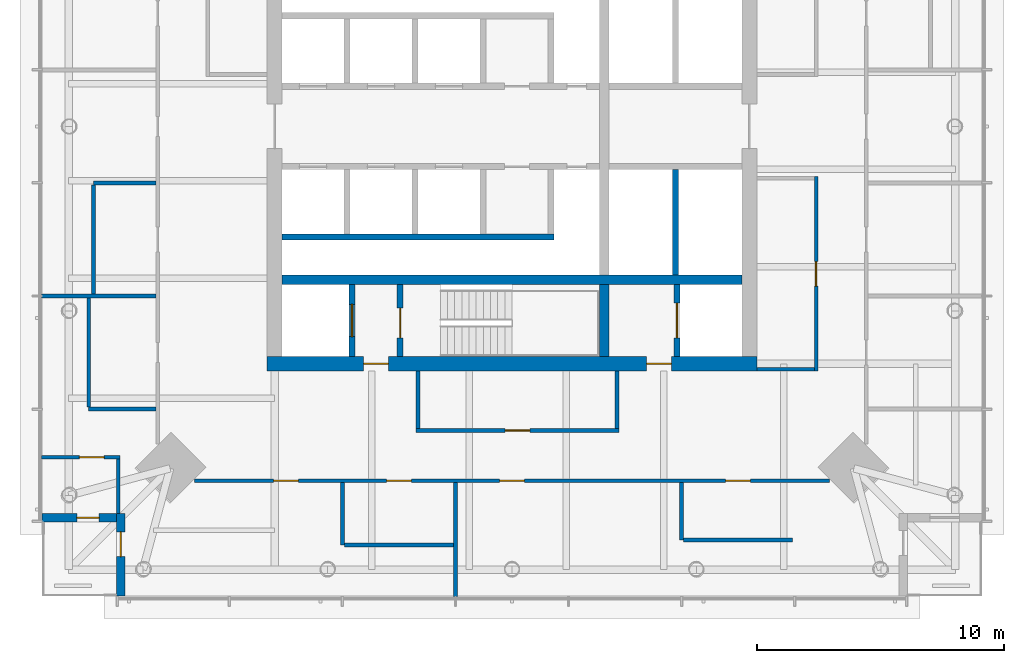
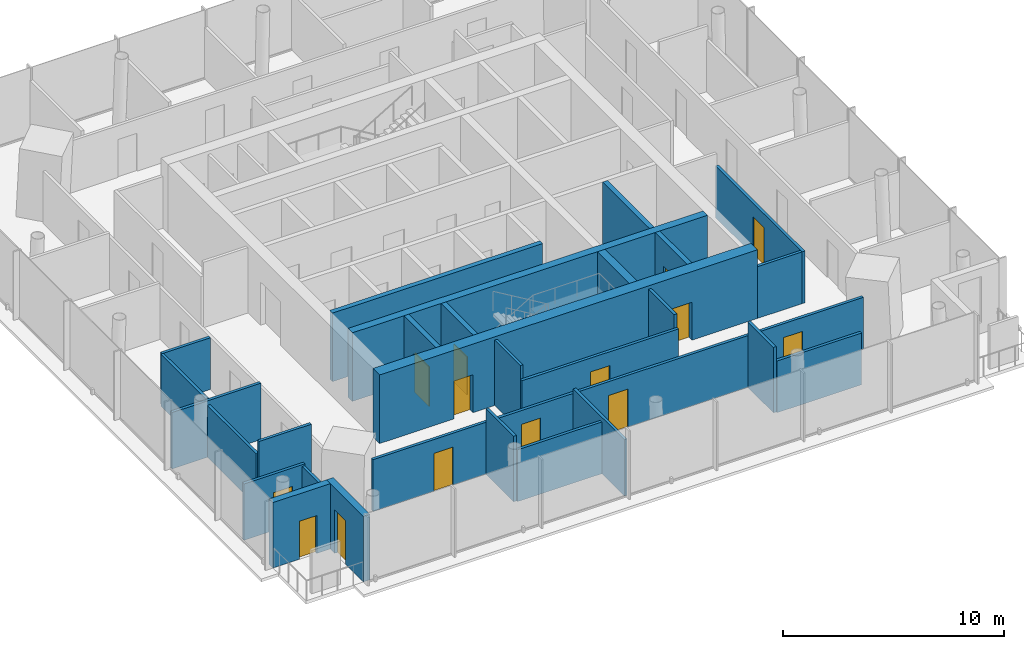
# One storey, part 4 of 11: 28 walls, 14 doors, 14 openings.
"""IFC4 building model written with IfcOpenShell, lengths in metres."""

from ifc_helpers import new_model, si_unit, direction, frame, frame_2d, origin, place, context, subcontext, project, spatial, rectangle, extrude, material, layer, layer_set, type_object, element, fill, save


model = new_model("IFC4")

# Units and contexts
model_context = context("Model", 3, precision=1e-05, world=origin(), true_north=direction((0.0, 1.0)))
body_context = subcontext(model_context, "Body", "Model", "MODEL_VIEW")
ifc_project = project(units=[si_unit("LENGTHUNIT", "METRE"), si_unit("AREAUNIT", "SQUARE_METRE"), si_unit("VOLUMEUNIT", "CUBIC_METRE"), si_unit("PLANEANGLEUNIT", "RADIAN"), si_unit("MASSUNIT", "GRAM", prefix="KILO")], contexts=[model_context])

# Site, building, storey
site_placement = place(None, origin())
site = spatial("IfcSite", under=ifc_project, at=site_placement, CompositionType="ELEMENT")
building_placement = place(site_placement, origin())
building = spatial("IfcBuilding", under=site, at=building_placement, Name="Ostroluk Exchange", CompositionType="ELEMENT")
storey_placement = place(building_placement, frame((0.0, 0.0, 211.0)))
storey = spatial("IfcBuildingStorey", under=building, at=storey_placement, Name="L54", CompositionType="ELEMENT", Elevation=211.0)

# Walls
ifc_material_1 = material(Name="Concrete C50/60", Category="concrete")
ifc_layer_1 = layer(ifc_material_1, 0.39990234375)
ifc_layer_set_1 = layer_set([ifc_layer_1], Name="Core cross wall 400 C50/60")
wall_type_1 = type_object("IfcWallType", Name="Core cross wall 400 C50/60", PredefinedType="SHEAR", material=ifc_layer_set_1)
wall_1_placement = place(storey_placement, frame((35.699951171875, 39.800048828125, 0.0), z_axis=(0.0, 0.0, 1.0), x_axis=(1.0, 0.0, 0.0)))
element("IfcWall", 1, at=wall_1_placement, inside=storey, type_object=wall_type_1, Name="T1 core wall XS", PredefinedType="SHEAR", context=body_context, shape_type="SweptSolid", body=[
    extrude(rectangle(XDim=18.60009765625, YDim=0.39990234375, at=frame_2d((9.300048828125, 0.0))), origin(), (0.0, 0.0, 1.0), 3.800048828125),
])
wall_2_placement = place(storey_placement, frame((48.72998046875, 36.699951171875, 0.0), z_axis=(0.0, 0.0, 1.0), x_axis=(0.0, 1.0, 0.0)))
element("IfcWall", 2, at=wall_2_placement, inside=storey, type_object=wall_type_1, Name="T1 core wall YE1", PredefinedType="SHEAR", context=body_context, shape_type="SweptSolid", body=[
    extrude(rectangle(XDim=2.900146484375, YDim=0.39990234375, at=frame_2d((1.4501953125, 0.0))), origin(), (0.0, 0.0, 1.0), 3.800048828125),
])

# Wall, opening, door
ifc_material_2 = material(Name="Concrete C40/50", Category="concrete")
ifc_layer_2 = layer(ifc_material_2, 0.25)
ifc_layer_set_2 = layer_set([ifc_layer_2], Name="Core shaft wall 250")
wall_type_2 = type_object("IfcWallType", Name="Core shaft wall 250", PredefinedType="SHEAR", material=ifc_layer_set_2)
wall_3_placement = place(storey_placement, frame((38.52490234375, 36.699951171875, 0.0), z_axis=(0.0, 0.0, 1.0), x_axis=(0.0, 1.0, 0.0)))
wall_3 = element("IfcWall", 3, at=wall_3_placement, inside=storey, type_object=wall_type_2, Name="Firefighting lift shaft wall", PredefinedType="SHEAR", context=body_context, shape_type="SweptSolid", body=[
    extrude(rectangle(XDim=2.900146484375, YDim=0.25, at=frame_2d((1.4501953125, 0.0))), origin(), (0.0, 0.0, 1.0), 3.800048828125),
])
opening_1_placement = place(wall_3_placement, frame((0.800048828125, 0.0, 0.0)))
opening_1 = element("IfcOpeningElement", 4, at=opening_1_placement, cuts=wall_3, Name="Opening LD2", PredefinedType="OPENING", context=body_context, shape_type="SweptSolid", body=[
    extrude(rectangle(XDim=1.300048828125, YDim=2.199951171875, at=frame_2d((0.64990234375, 1.10009765625))), frame((0.0, 0.135009765625, 0.0), z_axis=(0.0, -1.0, 0.0), x_axis=(1.0, 0.0, 0.0)), (0.0, 0.0, 1.0), 0.27001953125),
])
ifc_material_3 = material(Name="Stainless steel", Category="steel")
door_type_1 = type_object("IfcDoorType", Name="Lift landing door E 60 1300 x 2200", OperationType="DOUBLE_DOOR_SLIDING", PredefinedType="DOOR", material=ifc_material_3)
door_1_placement = place(opening_1_placement, origin())
door_1 = element("IfcDoor", 5, at=door_1_placement, inside=storey, type_object=door_type_1, Name="Lift FL1 landing door", OperationType="DOUBLE_DOOR_SLIDING", OverallHeight=2.199951171875, OverallWidth=1.300048828125, PredefinedType="DOOR", context=body_context, shape_type="SweptSolid", body=[
    extrude(rectangle(XDim=1.300048828125, YDim=2.199951171875, at=frame_2d((0.64990234375, 1.10009765625))), frame((0.0, 0.02490234375, 0.0), z_axis=(0.0, -1.0, 0.0), x_axis=(1.0, 0.0, 0.0)), (0.0, 0.0, 1.0), 0.050048828125),
])
fill(opening_1, door_1)

wall_4_placement = place(storey_placement, frame((40.47509765625, 36.699951171875, 0.0), z_axis=(0.0, 0.0, 1.0), x_axis=(0.0, 1.0, 0.0)))
wall_4 = element("IfcWall", 6, at=wall_4_placement, inside=storey, type_object=wall_type_2, Name="Stair shaft wall", PredefinedType="SHEAR", context=body_context, shape_type="SweptSolid", body=[
    extrude(rectangle(XDim=2.900146484375, YDim=0.25, at=frame_2d((1.4501953125, 0.0))), origin(), (0.0, 0.0, 1.0), 3.800048828125),
])
opening_2_placement = place(wall_4_placement, frame((0.75, 0.0, 0.0)))
opening_2 = element("IfcOpeningElement", 7, at=opening_2_placement, cuts=wall_4, Name="Opening FD60S", PredefinedType="OPENING", context=body_context, shape_type="SweptSolid", body=[
    extrude(rectangle(XDim=1.199951171875, YDim=2.10009765625, at=frame_2d((0.60009765625, 1.050048828125))), frame((0.0, 0.135009765625, 0.0), z_axis=(0.0, -1.0, 0.0), x_axis=(1.0, 0.0, 0.0)), (0.0, 0.0, 1.0), 0.27001953125),
])
ifc_material_4 = material(Name="Steel", Category="steel")
door_type_2 = type_object("IfcDoorType", Name="Stair door EI 60 1200 x 2100", OperationType="SINGLE_SWING_LEFT", PredefinedType="DOOR", material=ifc_material_4)
door_2_placement = place(opening_2_placement, origin())
door_2 = element("IfcDoor", 8, at=door_2_placement, inside=storey, type_object=door_type_2, Name="Stair T1-S1 door", OperationType="SINGLE_SWING_LEFT", OverallHeight=2.10009765625, OverallWidth=1.199951171875, PredefinedType="DOOR", context=body_context, shape_type="SweptSolid", body=[
    extrude(rectangle(XDim=1.199951171875, YDim=2.10009765625, at=frame_2d((0.60009765625, 1.050048828125))), frame((0.0, 0.02490234375, 0.0), z_axis=(0.0, -1.0, 0.0), x_axis=(1.0, 0.0, 0.0)), (0.0, 0.0, 1.0), 0.050048828125),
])
fill(opening_2, door_2)

wall_5_placement = place(storey_placement, frame((51.675048828125, 36.699951171875, 0.0), z_axis=(0.0, 0.0, 1.0), x_axis=(0.0, 1.0, 0.0)))
wall_5 = element("IfcWall", 9, at=wall_5_placement, inside=storey, type_object=wall_type_2, Name="Service lift shaft wall", PredefinedType="SHEAR", context=body_context, shape_type="SweptSolid", body=[
    extrude(rectangle(XDim=2.900146484375, YDim=0.25, at=frame_2d((1.4501953125, 0.0))), origin(), (0.0, 0.0, 1.0), 3.800048828125),
])
opening_3_placement = place(wall_5_placement, frame((0.75, 0.0, 0.0)))
opening_3 = element("IfcOpeningElement", 10, at=opening_3_placement, cuts=wall_5, Name="Opening LD3", PredefinedType="OPENING", context=body_context, shape_type="SweptSolid", body=[
    extrude(rectangle(XDim=1.39990234375, YDim=2.39990234375, at=frame_2d((0.699951171875, 1.199951171875))), frame((0.0, 0.135009765625, 0.0), z_axis=(0.0, -1.0, 0.0), x_axis=(1.0, 0.0, 0.0)), (0.0, 0.0, 1.0), 0.27001953125),
])
ifc_material_5 = material(Name="Stainless steel", Category="steel")
door_type_3 = type_object("IfcDoorType", Name="Goods lift landing door E 60 1400 x 2400", OperationType="DOUBLE_DOOR_SLIDING", PredefinedType="DOOR", material=ifc_material_5)
door_3_placement = place(opening_3_placement, origin())
door_3 = element("IfcDoor", 11, at=door_3_placement, inside=storey, type_object=door_type_3, Name="Lift SL1 landing door", OperationType="DOUBLE_DOOR_SLIDING", OverallHeight=2.39990234375, OverallWidth=1.39990234375, PredefinedType="DOOR", context=body_context, shape_type="SweptSolid", body=[
    extrude(rectangle(XDim=1.39990234375, YDim=2.39990234375, at=frame_2d((0.699951171875, 1.199951171875))), frame((0.0, 0.02490234375, 0.0), z_axis=(0.0, -1.0, 0.0), x_axis=(1.0, 0.0, 0.0)), (0.0, 0.0, 1.0), 0.050048828125),
])
fill(opening_3, door_3)

# Walls
wall_6_placement = place(storey_placement, frame((35.699951171875, 41.52490234375, 0.0), z_axis=(0.0, 0.0, 1.0), x_axis=(1.0, 0.0, 0.0)))
element("IfcWall", 12, at=wall_6_placement, inside=storey, type_object=wall_type_2, Name="Lift shaft wall", PredefinedType="SHEAR", context=body_context, shape_type="SweptSolid", body=[
    extrude(rectangle(XDim=11.0, YDim=0.25, at=frame_2d((5.5, 0.0))), origin(), (0.0, 0.0, 1.0), 3.800048828125),
])
wall_7_placement = place(storey_placement, frame((51.614990234375, 44.25, 0.0), z_axis=(0.0, 0.0, 1.0), x_axis=(0.0, -1.0, 0.0)))
element("IfcWall", 13, at=wall_7_placement, inside=storey, type_object=wall_type_2, Name="Lift shaft wall", PredefinedType="SHEAR", context=body_context, shape_type="SweptSolid", body=[
    extrude(rectangle(XDim=4.25, YDim=0.25, at=frame_2d((2.125, 0.0))), origin(), (0.0, 0.0, 1.0), 3.800048828125),
])

# Wall, openings, doors
ifc_material_6 = material(Name="Concrete C50/60", Category="concrete")
ifc_layer_3 = layer(ifc_material_6, 0.60009765625)
ifc_layer_set_3 = layer_set([ifc_layer_3], Name="Core wall 600 C50/60")
wall_type_3 = type_object("IfcWallType", Name="Core wall 600 C50/60", PredefinedType="SHEAR", material=ifc_layer_set_3)
wall_8_placement = place(storey_placement, frame((35.10009765625, 36.39990234375, 0.0), z_axis=(0.0, 0.0, 1.0), x_axis=(1.0, 0.0, 0.0)))
wall_8 = element("IfcWall", 14, at=wall_8_placement, inside=storey, type_object=wall_type_3, Name="T1 core wall S", PredefinedType="SHEAR", context=body_context, shape_type="SweptSolid", body=[
    extrude(rectangle(XDim=19.7998046875, YDim=0.60009765625, at=frame_2d((9.89990234375, 0.0))), origin(), (0.0, 0.0, 1.0), 3.800048828125),
])
opening_4_placement = place(wall_8_placement, frame((3.89990234375, 0.0, 0.0)))
opening_4 = element("IfcOpeningElement", 15, at=opening_4_placement, cuts=wall_8, Name="Opening FD60", PredefinedType="OPENING", context=body_context, shape_type="SweptSolid", body=[
    extrude(rectangle(XDim=1.0, YDim=2.10009765625, at=frame_2d((0.5, 1.050048828125))), frame((0.0, 0.31005859375, 0.0), z_axis=(0.0, -1.0, 0.0), x_axis=(1.0, 0.0, 0.0)), (0.0, 0.0, 1.0), 0.6201171875),
])
opening_5_placement = place(wall_8_placement, frame((15.35009765625, 0.0, 0.0)))
opening_5 = element("IfcOpeningElement", 16, at=opening_5_placement, cuts=wall_8, Name="Opening FD60", PredefinedType="OPENING", context=body_context, shape_type="SweptSolid", body=[
    extrude(rectangle(XDim=1.0, YDim=2.10009765625, at=frame_2d((0.5, 1.050048828125))), frame((0.0, 0.31005859375, 0.0), z_axis=(0.0, -1.0, 0.0), x_axis=(1.0, 0.0, 0.0)), (0.0, 0.0, 1.0), 0.6201171875),
])
ifc_material_7 = material(Name="Steel", Category="steel")
door_type_4 = type_object("IfcDoorType", Name="Fire door EI 60 1000 x 2100", OperationType="SINGLE_SWING_LEFT", PredefinedType="DOOR", material=ifc_material_7)
door_4_placement = place(opening_4_placement, origin())
door_4 = element("IfcDoor", 17, at=door_4_placement, inside=storey, type_object=door_type_4, Name="Firefighting lobby door", OperationType="SINGLE_SWING_LEFT", OverallHeight=2.10009765625, OverallWidth=1.0, PredefinedType="DOOR", context=body_context, shape_type="SweptSolid", body=[
    extrude(rectangle(XDim=1.0, YDim=2.10009765625, at=frame_2d((0.5, 1.050048828125))), frame((0.0, 0.02490234375, 0.0), z_axis=(0.0, -1.0, 0.0), x_axis=(1.0, 0.0, 0.0)), (0.0, 0.0, 1.0), 0.050048828125),
])
fill(opening_4, door_4)
door_5_placement = place(opening_5_placement, origin())
door_5 = element("IfcDoor", 18, at=door_5_placement, inside=storey, type_object=door_type_4, Name="Service lobby door", OperationType="SINGLE_SWING_RIGHT", OverallHeight=2.10009765625, OverallWidth=1.0, PredefinedType="DOOR", context=body_context, shape_type="SweptSolid", body=[
    extrude(rectangle(XDim=1.0, YDim=2.10009765625, at=frame_2d((0.5, 1.050048828125))), frame((0.0, 0.02490234375, 0.0), z_axis=(0.0, -1.0, 0.0), x_axis=(1.0, 0.0, 0.0)), (0.0, 0.0, 1.0), 0.050048828125),
])
fill(opening_5, door_5)

# Wall, opening, door
ifc_material_8 = material(Name="Limestone", Category="masonry")
ifc_layer_4 = layer(ifc_material_8, 0.35009765625)
ifc_layer_set_4 = layer_set([ifc_layer_4], Name="Limestone facade wall 350")
wall_type_4 = type_object("IfcWallType", Name="Limestone facade wall 350", PredefinedType="SOLIDWALL", material=ifc_layer_set_4)
wall_9_placement = place(storey_placement, frame((29.175048828125, 27.0, 0.0), z_axis=(0.0, 0.0, 1.0), x_axis=(0.0, 1.0, 0.0)))
wall_9 = element("IfcWall", 19, at=wall_9_placement, inside=storey, type_object=wall_type_4, Name="Office tower SW corner wall L54 a", PredefinedType="SOLIDWALL", context=body_context, shape_type="SweptSolid", body=[
    extrude(rectangle(XDim=3.35009765625, YDim=0.35009765625, at=frame_2d((1.675048828125, 0.0))), origin(), (0.0, 0.0, 1.0), 3.6201171875),
])
opening_6_placement = place(wall_9_placement, frame((1.60009765625, 0.0, 0.0)))
opening_6 = element("IfcOpeningElement", 20, at=opening_6_placement, cuts=wall_9, Name="Opening D-B1", PredefinedType="OPENING", context=body_context, shape_type="SweptSolid", body=[
    extrude(rectangle(XDim=1.0, YDim=2.39990234375, at=frame_2d((0.5, 1.199951171875))), frame((0.0, 0.18505859375, 0.0), z_axis=(0.0, -1.0, 0.0), x_axis=(1.0, 0.0, 0.0)), (0.0, 0.0, 1.0), 0.3701171875),
])
ifc_material_9 = material(Name="Bronze framed glazed door", Category="aluminium")
door_type_5 = type_object("IfcDoorType", Name="Balcony door 1000 x 2400", OperationType="SINGLE_SWING_LEFT", PredefinedType="DOOR", material=ifc_material_9)
door_6_placement = place(opening_6_placement, origin())
door_6 = element("IfcDoor", 21, at=door_6_placement, inside=storey, type_object=door_type_5, Name="Office tower SW balcony door L54", OperationType="SINGLE_SWING_RIGHT", OverallHeight=2.39990234375, OverallWidth=1.0, PredefinedType="DOOR", context=body_context, shape_type="SweptSolid", body=[
    extrude(rectangle(XDim=1.0, YDim=2.39990234375, at=frame_2d((0.5, 1.199951171875))), frame((0.0, 0.02490234375, 0.0), z_axis=(0.0, -1.0, 0.0), x_axis=(1.0, 0.0, 0.0)), (0.0, 0.0, 1.0), 0.050048828125),
])
fill(opening_6, door_6)

wall_10_placement = place(storey_placement, frame((29.0, 30.175048828125, 0.0), z_axis=(0.0, 0.0, 1.0), x_axis=(-1.0, 0.0, 0.0)))
wall_10 = element("IfcWall", 22, at=wall_10_placement, inside=storey, type_object=wall_type_4, Name="Office tower SW corner wall L54 b", PredefinedType="SOLIDWALL", context=body_context, shape_type="SweptSolid", body=[
    extrude(rectangle(XDim=3.0, YDim=0.35009765625, at=frame_2d((1.5, 0.0))), origin(), (0.0, 0.0, 1.0), 3.6201171875),
])
opening_7_placement = place(wall_10_placement, frame((0.699951171875, 0.0, 0.0)))
opening_7 = element("IfcOpeningElement", 23, at=opening_7_placement, cuts=wall_10, Name="Opening D-M1", PredefinedType="OPENING", context=body_context, shape_type="SweptSolid", body=[
    extrude(rectangle(XDim=0.89990234375, YDim=2.10009765625, at=frame_2d((0.449951171875, 1.050048828125))), frame((0.0, 0.18505859375, 0.0), z_axis=(0.0, -1.0, 0.0), x_axis=(1.0, 0.0, 0.0)), (0.0, 0.0, 1.0), 0.3701171875),
])
ifc_material_10 = material(Name="Steel door", Category="steel")
door_type_6 = type_object("IfcDoorType", Name="Maintenance access door 900 x 2100", OperationType="SINGLE_SWING_LEFT", PredefinedType="DOOR", material=ifc_material_10)
door_7_placement = place(opening_7_placement, origin())
door_7 = element("IfcDoor", 24, at=door_7_placement, inside=storey, type_object=door_type_6, Name="Maintenance access door T1 L54 SW", OperationType="SINGLE_SWING_LEFT", OverallHeight=2.10009765625, OverallWidth=0.89990234375, PredefinedType="DOOR", context=body_context, shape_type="SweptSolid", body=[
    extrude(rectangle(XDim=0.89990234375, YDim=2.10009765625, at=frame_2d((0.449951171875, 1.050048828125))), frame((0.0, 0.02490234375, 0.0), z_axis=(0.0, -1.0, 0.0), x_axis=(1.0, 0.0, 0.0)), (0.0, 0.0, 1.0), 0.050048828125),
])
fill(opening_7, door_7)

ifc_material_11 = material(Name="Gypsum plasterboard partition", Category="gypsum")
ifc_layer_5 = layer(ifc_material_11, 0.14990234375)
ifc_layer_set_5 = layer_set([ifc_layer_5], Name="Plasterboard partition 150")
wall_type_5 = type_object("IfcWallType", Name="Plasterboard partition 150", PredefinedType="PARTITIONING", material=ifc_layer_set_5)
wall_11_placement = place(storey_placement, frame((57.300048828125, 36.10009765625, 0.0), z_axis=(0.0, 0.0, 1.0), x_axis=(0.0, 1.0, 0.0)))
wall_11 = element("IfcWall", 25, at=wall_11_placement, inside=storey, type_object=wall_type_5, Name="Partition", PredefinedType="PARTITIONING", context=body_context, shape_type="SweptSolid", body=[
    extrude(rectangle(XDim=7.875, YDim=0.14990234375, at=frame_2d((3.9375, 0.0))), origin(), (0.0, 0.0, 1.0), 2.866943359375),
])
opening_8_placement = place(wall_11_placement, frame((3.4375, 0.0, 0.0)))
opening_8 = element("IfcOpeningElement", 26, at=opening_8_placement, cuts=wall_11, Name="Opening D-03", PredefinedType="OPENING", context=body_context, shape_type="SweptSolid", body=[
    extrude(rectangle(XDim=1.0, YDim=2.10009765625, at=frame_2d((0.5, 1.050048828125))), frame((0.0, 0.0849609375, 0.0), z_axis=(0.0, -1.0, 0.0), x_axis=(1.0, 0.0, 0.0)), (0.0, 0.0, 1.0), 0.169921875),
])
ifc_material_12 = material(Name="Timber", Category="wood")
door_type_7 = type_object("IfcDoorType", Name="Internal door 1000 x 2100", OperationType="SINGLE_SWING_LEFT", PredefinedType="DOOR", material=ifc_material_12)
door_8_placement = place(opening_8_placement, origin())
door_8 = element("IfcDoor", 27, at=door_8_placement, inside=storey, type_object=door_type_7, Name="Project room door", OperationType="SINGLE_SWING_LEFT", OverallHeight=2.10009765625, OverallWidth=1.0, PredefinedType="DOOR", context=body_context, shape_type="SweptSolid", body=[
    extrude(rectangle(XDim=1.0, YDim=2.10009765625, at=frame_2d((0.5, 1.050048828125))), frame((0.0, 0.02490234375, 0.0), z_axis=(0.0, -1.0, 0.0), x_axis=(1.0, 0.0, 0.0)), (0.0, 0.0, 1.0), 0.050048828125),
])
fill(opening_8, door_8)

# Wall
wall_12_placement = place(storey_placement, frame((54.89990234375, 36.175048828125, 0.0), z_axis=(0.0, 0.0, 1.0), x_axis=(1.0, 0.0, 0.0)))
element("IfcWall", 28, at=wall_12_placement, inside=storey, type_object=wall_type_5, Name="Partition", PredefinedType="PARTITIONING", context=body_context, shape_type="SweptSolid", body=[
    extrude(rectangle(XDim=2.3251953125, YDim=0.14990234375, at=frame_2d((1.16259765625, 0.0))), origin(), (0.0, 0.0, 1.0), 2.866943359375),
])

# Wall, opening, door
wall_13_placement = place(storey_placement, frame((41.125, 33.699951171875, 0.0), z_axis=(0.0, 0.0, 1.0), x_axis=(1.0, 0.0, 0.0)))
wall_13 = element("IfcWall", 29, at=wall_13_placement, inside=storey, type_object=wall_type_5, Name="Partition", PredefinedType="PARTITIONING", context=body_context, shape_type="SweptSolid", body=[
    extrude(rectangle(XDim=8.199951171875, YDim=0.14990234375, at=frame_2d((4.10009765625, 0.0))), origin(), (0.0, 0.0, 1.0), 2.866943359375),
])
opening_9_placement = place(wall_13_placement, frame((3.60009765625, 0.0, 0.0)))
opening_9 = element("IfcOpeningElement", 30, at=opening_9_placement, cuts=wall_13, Name="Opening D-03", PredefinedType="OPENING", context=body_context, shape_type="SweptSolid", body=[
    extrude(rectangle(XDim=1.0, YDim=2.10009765625, at=frame_2d((0.5, 1.050048828125))), frame((0.0, 0.0849609375, 0.0), z_axis=(0.0, -1.0, 0.0), x_axis=(1.0, 0.0, 0.0)), (0.0, 0.0, 1.0), 0.169921875),
])
door_9_placement = place(opening_9_placement, origin())
door_9 = element("IfcDoor", 31, at=door_9_placement, inside=storey, type_object=door_type_7, Name="Project room door", OperationType="SINGLE_SWING_LEFT", OverallHeight=2.10009765625, OverallWidth=1.0, PredefinedType="DOOR", context=body_context, shape_type="SweptSolid", body=[
    extrude(rectangle(XDim=1.0, YDim=2.10009765625, at=frame_2d((0.5, 1.050048828125))), frame((0.0, 0.02490234375, 0.0), z_axis=(0.0, -1.0, 0.0), x_axis=(1.0, 0.0, 0.0)), (0.0, 0.0, 1.0), 0.050048828125),
])
fill(opening_9, door_9)

# Walls
for number, where, z_axis, x_axis, name in (
    (32, (41.199951171875, 36.10009765625, 0.0), (0.0, 0.0, 1.0), (0.0, -1.0, 0.0), "Partition"),
    (33, (49.25, 36.10009765625, 0.0), (0.0, 0.0, 1.0), (0.0, -1.0, 0.0), "Partition"),
):
    element("IfcWall", number, at=place(storey_placement, frame(where, z_axis=z_axis, x_axis=x_axis)), inside=storey, type_object=wall_type_5, Name=name, PredefinedType="PARTITIONING", context=body_context, shape_type="SweptSolid", body=[
        extrude(rectangle(XDim=2.3251953125, YDim=0.14990234375, at=frame_2d((1.16259765625, 0.0))), origin(), (0.0, 0.0, 1.0), 3.6201171875),
    ])
wall_14_placement = place(storey_placement, frame((30.60009765625, 43.71435546875, 0.0), z_axis=(0.0, 0.0, 1.0), x_axis=(-1.0, 0.0, 0.0)))
element("IfcWall", 34, at=wall_14_placement, inside=storey, type_object=wall_type_5, Name="Partition", PredefinedType="PARTITIONING", context=body_context, shape_type="SweptSolid", body=[
    extrude(rectangle(XDim=2.525146484375, YDim=0.14990234375, at=frame_2d((1.2626953125, 0.0))), origin(), (0.0, 0.0, 1.0), 2.866943359375),
])
wall_15_placement = place(storey_placement, frame((30.60009765625, 39.142822265625, 0.0), z_axis=(0.0, 0.0, 1.0), x_axis=(-1.0, 0.0, 0.0)))
element("IfcWall", 35, at=wall_15_placement, inside=storey, type_object=wall_type_5, Name="Partition", PredefinedType="PARTITIONING", context=body_context, shape_type="SweptSolid", body=[
    extrude(rectangle(XDim=4.64013671875, YDim=0.14990234375, at=frame_2d((2.320068359375, 0.0))), origin(), (0.0, 0.0, 1.0), 3.1201171875),
])
wall_16_placement = place(storey_placement, frame((30.60009765625, 34.571533203125, 0.0), z_axis=(0.0, 0.0, 1.0), x_axis=(-1.0, 0.0, 0.0)))
element("IfcWall", 36, at=wall_16_placement, inside=storey, type_object=wall_type_5, Name="Partition", PredefinedType="PARTITIONING", context=body_context, shape_type="SweptSolid", body=[
    extrude(rectangle(XDim=2.72509765625, YDim=0.14990234375, at=frame_2d((1.362548828125, 0.0))), origin(), (0.0, 0.0, 1.0), 3.6201171875),
])
wall_17_placement = place(storey_placement, frame((38.2177734375, 29.074951171875, 0.0), z_axis=(0.0, 0.0, 1.0), x_axis=(1.0, 0.0, 0.0)))
element("IfcWall", 37, at=wall_17_placement, inside=storey, type_object=wall_type_5, Name="Partition", PredefinedType="PARTITIONING", context=body_context, shape_type="SweptSolid", body=[
    extrude(rectangle(XDim=4.421630859375, YDim=0.14990234375, at=frame_2d((2.2109375, 0.0))), origin(), (0.0, 0.0, 1.0), 2.866943359375),
])
wall_18_placement = place(storey_placement, frame((51.93212890625, 29.27490234375, 0.0), z_axis=(0.0, 0.0, 1.0), x_axis=(1.0, 0.0, 0.0)))
element("IfcWall", 38, at=wall_18_placement, inside=storey, type_object=wall_type_5, Name="Partition", PredefinedType="PARTITIONING", context=body_context, shape_type="SweptSolid", body=[
    extrude(rectangle(XDim=4.42138671875, YDim=0.14990234375, at=frame_2d((2.210693359375, 0.0))), origin(), (0.0, 0.0, 1.0), 2.866943359375),
])

# Wall, openings, doors
wall_19_placement = place(storey_placement, frame((32.164306640625, 31.675048828125, 0.0), z_axis=(0.0, 0.0, 1.0), x_axis=(1.0, 0.0, 0.0)))
wall_19 = element("IfcWall", 39, at=wall_19_placement, inside=storey, type_object=wall_type_5, Name="Partition", PredefinedType="PARTITIONING", context=body_context, shape_type="SweptSolid", body=[
    extrude(rectangle(XDim=25.67138671875, YDim=0.14990234375, at=frame_2d((12.835693359375, 0.0))), origin(), (0.0, 0.0, 1.0), 2.866943359375),
])
opening_10_placement = place(wall_19_placement, frame((3.19287109375, 0.0, 0.0)))
opening_10 = element("IfcOpeningElement", 40, at=opening_10_placement, cuts=wall_19, Name="Opening D-03", PredefinedType="OPENING", context=body_context, shape_type="SweptSolid", body=[
    extrude(rectangle(XDim=1.0, YDim=2.10009765625, at=frame_2d((0.5, 1.050048828125))), frame((0.0, 0.0849609375, 0.0), z_axis=(0.0, -1.0, 0.0), x_axis=(1.0, 0.0, 0.0)), (0.0, 0.0, 1.0), 0.169921875),
])
opening_11_placement = place(wall_19_placement, frame((7.764404296875, 0.0, 0.0)))
opening_11 = element("IfcOpeningElement", 41, at=opening_11_placement, cuts=wall_19, Name="Opening D-03", PredefinedType="OPENING", context=body_context, shape_type="SweptSolid", body=[
    extrude(rectangle(XDim=1.0, YDim=2.10009765625, at=frame_2d((0.5, 1.050048828125))), frame((0.0, 0.0849609375, 0.0), z_axis=(0.0, -1.0, 0.0), x_axis=(1.0, 0.0, 0.0)), (0.0, 0.0, 1.0), 0.169921875),
])
opening_12_placement = place(wall_19_placement, frame((12.335693359375, 0.0, 0.0)))
opening_12 = element("IfcOpeningElement", 42, at=opening_12_placement, cuts=wall_19, Name="Opening D-03", PredefinedType="OPENING", context=body_context, shape_type="SweptSolid", body=[
    extrude(rectangle(XDim=1.0, YDim=2.10009765625, at=frame_2d((0.5, 1.050048828125))), frame((0.0, 0.0849609375, 0.0), z_axis=(0.0, -1.0, 0.0), x_axis=(1.0, 0.0, 0.0)), (0.0, 0.0, 1.0), 0.169921875),
])
opening_13_placement = place(wall_19_placement, frame((21.478759765625, 0.0, 0.0)))
opening_13 = element("IfcOpeningElement", 43, at=opening_13_placement, cuts=wall_19, Name="Opening D-03", PredefinedType="OPENING", context=body_context, shape_type="SweptSolid", body=[
    extrude(rectangle(XDim=1.0, YDim=2.10009765625, at=frame_2d((0.5, 1.050048828125))), frame((0.0, 0.0849609375, 0.0), z_axis=(0.0, -1.0, 0.0), x_axis=(1.0, 0.0, 0.0)), (0.0, 0.0, 1.0), 0.169921875),
])
door_10_placement = place(opening_10_placement, origin())
door_10 = element("IfcDoor", 44, at=door_10_placement, inside=storey, type_object=door_type_7, Name="Office suite door", OperationType="SINGLE_SWING_LEFT", OverallHeight=2.10009765625, OverallWidth=1.0, PredefinedType="DOOR", context=body_context, shape_type="SweptSolid", body=[
    extrude(rectangle(XDim=1.0, YDim=2.10009765625, at=frame_2d((0.5, 1.050048828125))), frame((0.0, 0.02490234375, 0.0), z_axis=(0.0, -1.0, 0.0), x_axis=(1.0, 0.0, 0.0)), (0.0, 0.0, 1.0), 0.050048828125),
])
fill(opening_10, door_10)
door_11_placement = place(opening_11_placement, origin())
door_11 = element("IfcDoor", 45, at=door_11_placement, inside=storey, type_object=door_type_7, Name="Pantry door", OperationType="SINGLE_SWING_LEFT", OverallHeight=2.10009765625, OverallWidth=1.0, PredefinedType="DOOR", context=body_context, shape_type="SweptSolid", body=[
    extrude(rectangle(XDim=1.0, YDim=2.10009765625, at=frame_2d((0.5, 1.050048828125))), frame((0.0, 0.02490234375, 0.0), z_axis=(0.0, -1.0, 0.0), x_axis=(1.0, 0.0, 0.0)), (0.0, 0.0, 1.0), 0.050048828125),
])
fill(opening_11, door_11)
door_12_placement = place(opening_12_placement, origin())
door_12 = element("IfcDoor", 46, at=door_12_placement, inside=storey, type_object=door_type_7, Name="Office door", OperationType="SINGLE_SWING_LEFT", OverallHeight=2.10009765625, OverallWidth=1.0, PredefinedType="DOOR", context=body_context, shape_type="SweptSolid", body=[
    extrude(rectangle(XDim=1.0, YDim=2.10009765625, at=frame_2d((0.5, 1.050048828125))), frame((0.0, 0.02490234375, 0.0), z_axis=(0.0, -1.0, 0.0), x_axis=(1.0, 0.0, 0.0)), (0.0, 0.0, 1.0), 0.050048828125),
])
fill(opening_12, door_12)
door_13_placement = place(opening_13_placement, origin())
door_13 = element("IfcDoor", 47, at=door_13_placement, inside=storey, type_object=door_type_7, Name="Print and store room door", OperationType="SINGLE_SWING_RIGHT", OverallHeight=2.10009765625, OverallWidth=1.0, PredefinedType="DOOR", context=body_context, shape_type="SweptSolid", body=[
    extrude(rectangle(XDim=1.0, YDim=2.10009765625, at=frame_2d((0.5, 1.050048828125))), frame((0.0, 0.02490234375, 0.0), z_axis=(0.0, -1.0, 0.0), x_axis=(1.0, 0.0, 0.0)), (0.0, 0.0, 1.0), 0.050048828125),
])
fill(opening_13, door_13)

# Walls
wall_20_placement = place(storey_placement, frame((38.142822265625, 31.60009765625, 0.0), z_axis=(0.0, 0.0, 1.0), x_axis=(0.0, -1.0, 0.0)))
element("IfcWall", 48, at=wall_20_placement, inside=storey, type_object=wall_type_5, Name="Partition", PredefinedType="PARTITIONING", context=body_context, shape_type="SweptSolid", body=[
    extrude(rectangle(XDim=2.525146484375, YDim=0.14990234375, at=frame_2d((1.2626953125, 0.0))), origin(), (0.0, 0.0, 1.0), 3.6201171875),
])
wall_21_placement = place(storey_placement, frame((42.71435546875, 31.60009765625, 0.0), z_axis=(0.0, 0.0, 1.0), x_axis=(0.0, -1.0, 0.0)))
element("IfcWall", 49, at=wall_21_placement, inside=storey, type_object=wall_type_5, Name="Partition", PredefinedType="PARTITIONING", context=body_context, shape_type="SweptSolid", body=[
    extrude(rectangle(XDim=4.64013671875, YDim=0.14990234375, at=frame_2d((2.320068359375, 0.0))), origin(), (0.0, 0.0, 1.0), 3.1201171875),
])
wall_22_placement = place(storey_placement, frame((51.857177734375, 31.60009765625, 0.0), z_axis=(0.0, 0.0, 1.0), x_axis=(0.0, -1.0, 0.0)))
element("IfcWall", 50, at=wall_22_placement, inside=storey, type_object=wall_type_5, Name="Partition", PredefinedType="PARTITIONING", context=body_context, shape_type="SweptSolid", body=[
    extrude(rectangle(XDim=2.3251953125, YDim=0.14990234375, at=frame_2d((1.16259765625, 0.0))), origin(), (0.0, 0.0, 1.0), 3.6201171875),
])

# Wall, opening, door
wall_23_placement = place(storey_placement, frame((29.14990234375, 32.625, 0.0), z_axis=(0.0, 0.0, 1.0), x_axis=(-1.0, 0.0, 0.0)))
wall_23 = element("IfcWall", 51, at=wall_23_placement, inside=storey, type_object=wall_type_5, Name="Partition", PredefinedType="PARTITIONING", context=body_context, shape_type="SweptSolid", body=[
    extrude(rectangle(XDim=3.18994140625, YDim=0.14990234375, at=frame_2d((1.594970703125, 0.0))), origin(), (0.0, 0.0, 1.0), 3.1201171875),
])
opening_14_placement = place(wall_23_placement, frame((0.64990234375, 0.0, 0.0)))
opening_14 = element("IfcOpeningElement", 52, at=opening_14_placement, cuts=wall_23, Name="Opening D-03", PredefinedType="OPENING", context=body_context, shape_type="SweptSolid", body=[
    extrude(rectangle(XDim=1.0, YDim=2.10009765625, at=frame_2d((0.5, 1.050048828125))), frame((0.0, 0.0849609375, 0.0), z_axis=(0.0, -1.0, 0.0), x_axis=(1.0, 0.0, 0.0)), (0.0, 0.0, 1.0), 0.169921875),
])
door_14_placement = place(opening_14_placement, origin())
door_14 = element("IfcDoor", 53, at=door_14_placement, inside=storey, type_object=door_type_7, Name="Facade maintenance store door", OperationType="SINGLE_SWING_LEFT", OverallHeight=2.10009765625, OverallWidth=1.0, PredefinedType="DOOR", context=body_context, shape_type="SweptSolid", body=[
    extrude(rectangle(XDim=1.0, YDim=2.10009765625, at=frame_2d((0.5, 1.050048828125))), frame((0.0, 0.02490234375, 0.0), z_axis=(0.0, -1.0, 0.0), x_axis=(1.0, 0.0, 0.0)), (0.0, 0.0, 1.0), 0.050048828125),
])
fill(opening_14, door_14)

# Walls
wall_24_placement = place(storey_placement, frame((29.074951171875, 32.550048828125, 0.0), z_axis=(0.0, 0.0, 1.0), x_axis=(0.0, -1.0, 0.0)))
element("IfcWall", 54, at=wall_24_placement, inside=storey, type_object=wall_type_5, Name="Partition", PredefinedType="PARTITIONING", context=body_context, shape_type="SweptSolid", body=[
    extrude(rectangle(XDim=2.199951171875, YDim=0.14990234375, at=frame_2d((1.10009765625, 0.0))), origin(), (0.0, 0.0, 1.0), 3.02001953125),
])
ifc_material_13 = material(Name="Gypsum plasterboard partition, moisture resistant", Category="gypsum")
ifc_layer_6 = layer(ifc_material_13, 0.14990234375)
ifc_layer_set_6 = layer_set([ifc_layer_6], Name="Plasterboard toilet partition 150")
wall_type_6 = type_object("IfcWallType", Name="Plasterboard toilet partition 150", PredefinedType="PARTITIONING", material=ifc_layer_set_6)
wall_25_placement = place(storey_placement, frame((28.074951171875, 43.639404296875, 0.0), z_axis=(0.0, 0.0, 1.0), x_axis=(0.0, -1.0, 0.0)))
element("IfcWall", 55, at=wall_25_placement, inside=storey, type_object=wall_type_6, Name="Toilet partition", PredefinedType="PARTITIONING", context=body_context, shape_type="SweptSolid", body=[
    extrude(rectangle(XDim=4.421630859375, YDim=0.14990234375, at=frame_2d((2.2109375, 0.0))), origin(), (0.0, 0.0, 1.0), 2.866943359375),
])
wall_26_placement = place(storey_placement, frame((27.875, 39.06787109375, 0.0), z_axis=(0.0, 0.0, 1.0), x_axis=(0.0, -1.0, 0.0)))
element("IfcWall", 56, at=wall_26_placement, inside=storey, type_object=wall_type_6, Name="Toilet partition", PredefinedType="PARTITIONING", context=body_context, shape_type="SweptSolid", body=[
    extrude(rectangle(XDim=4.42138671875, YDim=0.14990234375, at=frame_2d((2.210693359375, 0.0))), origin(), (0.0, 0.0, 1.0), 2.866943359375),
])

save(model, "model.ifc")
